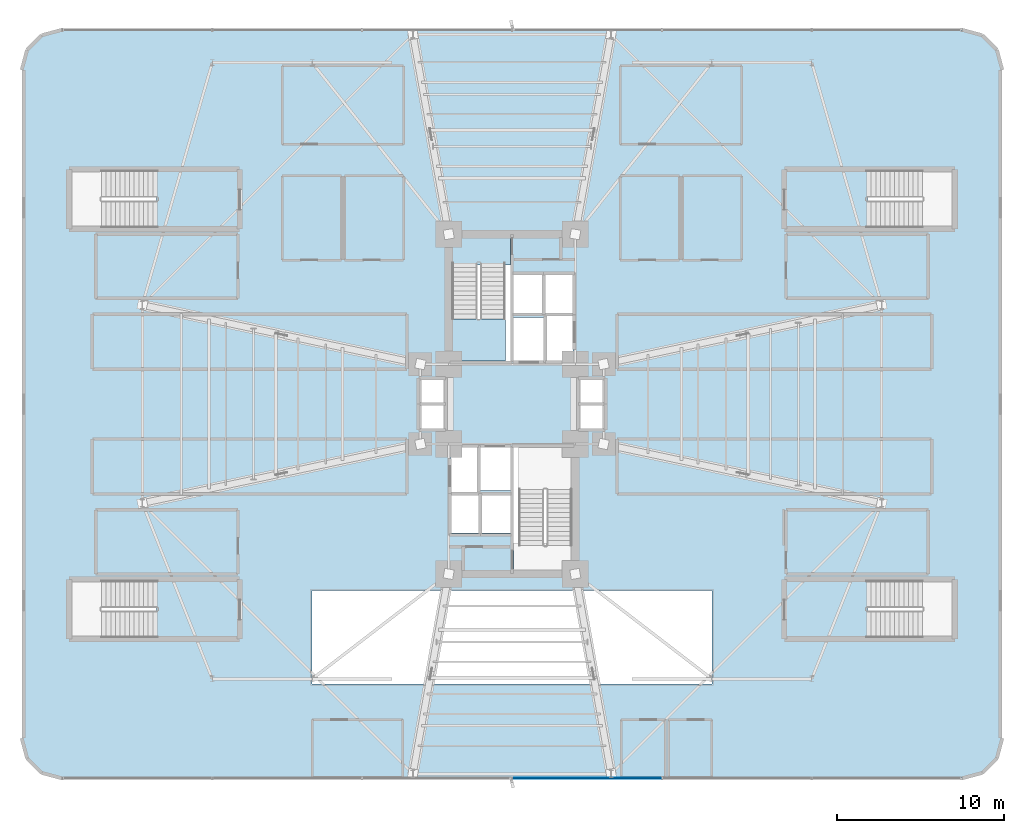
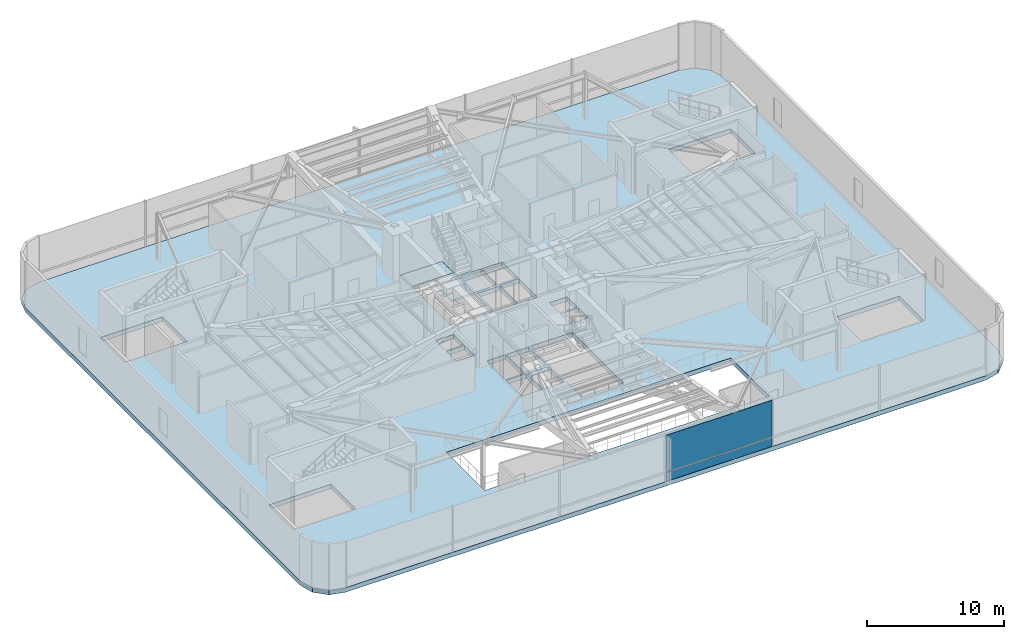
# One storey, part 19 of 32: 3 slabs, 2 plates, 2 elements without a shape of their own.
"""IFC4 building model written with IfcOpenShell, lengths in metres."""

from ifc_helpers import new_model, si_unit, direction, frame, origin, origin_2d, place, context, subcontext, project, spatial, polyline, rectangle, outline, extrude, source, transform, mapped, material, layer, layer_set, type_object, element, aggregate, save


model = new_model("IFC4")

# Units and contexts
model_context = context("Model", 3, precision=1e-05, world=origin(), true_north=direction((0.0, 1.0)))
body_context = subcontext(model_context, "Body", "Model", "MODEL_VIEW")
ifc_project = project(units=[si_unit("LENGTHUNIT", "METRE"), si_unit("AREAUNIT", "SQUARE_METRE"), si_unit("VOLUMEUNIT", "CUBIC_METRE"), si_unit("PLANEANGLEUNIT", "RADIAN"), si_unit("MASSUNIT", "GRAM", prefix="KILO")], contexts=[model_context])

# Site, building, storey
site_placement = place(None, origin())
site = spatial("IfcSite", under=ifc_project, at=site_placement, CompositionType="ELEMENT")
building_placement = place(site_placement, origin())
building = spatial("IfcBuilding", under=site, at=building_placement, Name="Sahyath Konkavel Grand Hotel", CompositionType="ELEMENT")
storey_placement = place(building_placement, frame((0.0, 0.0, 14.10009765625)))
storey = spatial("IfcBuildingStorey", under=building, at=storey_placement, Name="L03", CompositionType="ELEMENT", Elevation=14.10009765625)

# Slab
ifc_material_1 = material(Name="Concrete C50/60", Category="concrete")
ifc_layer_1 = layer(ifc_material_1, 0.39990234375)
ifc_layer_set_1 = layer_set([ifc_layer_1], Name="Concrete C50/60")
slab_type_1 = type_object("IfcSlabType", Name="SLB-400", PredefinedType="FLOOR", material=ifc_layer_set_1)
slab_1_placement = place(storey_placement, frame((0.0, 0.0, -0.400146484375)))
element("IfcSlab", 1, at=slab_1_placement, inside=storey, type_object=slab_type_1, Name="L03 Structural Floor Slab", PredefinedType="FLOOR", context=body_context, shape_type="SweptSolid", body=[
    extrude(outline(polyline([(27.035888671875, -22.465087890625), (28.236083984375, -22.1435546875), (29.114501953125, -21.264892578125), (29.43603515625, -20.06494140625), (29.43603515625, 20.06494140625), (29.114501953125, 21.264892578125), (28.236083984375, 22.1435546875), (27.035888671875, 22.465087890625), (-27.035888671875, 22.465087890625), (-28.236083984375, 22.1435546875), (-29.114501953125, 21.264892578125), (-29.43603515625, 20.06494140625), (-29.43603515625, -20.06494140625), (-29.114501953125, -21.264892578125), (-28.236083984375, -22.1435546875), (-27.035888671875, -22.465087890625), (27.035888671875, -22.465087890625)]), holes=[polyline([(-3.6201171875, 2.580078125), (-0.10009765625, 2.580078125), (-0.10009765625, 10.02001953125), (-3.6201171875, 10.02001953125), (-3.6201171875, 2.580078125)]), polyline([(0.10009765625, -10.02001953125), (3.6201171875, -10.02001953125), (3.6201171875, -2.580078125), (0.10009765625, -2.580078125), (0.10009765625, -10.02001953125)]), polyline([(-26.60009765625, 10.52001953125), (-21.35009765625, 10.52001953125), (-21.35009765625, 14.10009765625), (-26.60009765625, 14.10009765625), (-26.60009765625, 10.52001953125)]), polyline([(21.35009765625, 10.52001953125), (26.60009765625, 10.52001953125), (26.60009765625, 14.10009765625), (21.35009765625, 14.10009765625), (21.35009765625, 10.52001953125)]), polyline([(-26.60009765625, -14.10009765625), (-21.35009765625, -14.10009765625), (-21.35009765625, -10.52001953125), (-26.60009765625, -10.52001953125), (-26.60009765625, -14.10009765625)]), polyline([(21.35009765625, -14.10009765625), (26.60009765625, -14.10009765625), (26.60009765625, -10.52001953125), (21.35009765625, -10.52001953125), (21.35009765625, -14.10009765625)]), polyline([(-12.0, -16.800048828125), (12.0, -16.800048828125), (12.0, -11.199951171875), (-12.0, -11.199951171875), (-12.0, -16.800048828125)]), polyline([(0.10009765625, 2.60009765625), (1.949951171875, 2.60009765625), (1.949951171875, 5.199951171875), (0.10009765625, 5.199951171875), (0.10009765625, 2.60009765625)]), polyline([(-1.949951171875, -5.199951171875), (-0.10009765625, -5.199951171875), (-0.10009765625, -2.60009765625), (-1.949951171875, -2.60009765625), (-1.949951171875, -5.199951171875)]), polyline([(2.050048828125, 2.60009765625), (3.64990234375, 2.60009765625), (3.64990234375, 5.300048828125), (2.050048828125, 5.300048828125), (2.050048828125, 2.60009765625)]), polyline([(-3.64990234375, -5.300048828125), (-2.050048828125, -5.300048828125), (-2.050048828125, -2.60009765625), (-3.64990234375, -2.60009765625), (-3.64990234375, -5.300048828125)]), polyline([(0.10009765625, 5.449951171875), (1.85009765625, 5.449951171875), (1.85009765625, 7.75), (0.10009765625, 7.75), (0.10009765625, 5.449951171875)]), polyline([(1.949951171875, 5.449951171875), (3.64990234375, 5.449951171875), (3.64990234375, 7.75), (1.949951171875, 7.75), (1.949951171875, 5.449951171875)]), polyline([(-3.64990234375, -7.75), (-1.949951171875, -7.75), (-1.949951171875, -5.449951171875), (-3.64990234375, -5.449951171875), (-3.64990234375, -7.75)]), polyline([(-1.85009765625, -7.75), (-0.10009765625, -7.75), (-0.10009765625, -5.449951171875), (-1.85009765625, -5.449951171875), (-1.85009765625, -7.75)]), polyline([(4.050048828125, 0.080078125), (5.550048828125, 0.080078125), (5.550048828125, 1.5400390625), (4.050048828125, 1.5400390625), (4.050048828125, 0.080078125)]), polyline([(4.050048828125, -1.5400390625), (5.550048828125, -1.5400390625), (5.550048828125, -0.080078125), (4.050048828125, -0.080078125), (4.050048828125, -1.5400390625)]), polyline([(-5.550048828125, 0.080078125), (-4.050048828125, 0.080078125), (-4.050048828125, 1.5400390625), (-5.550048828125, 1.5400390625), (-5.550048828125, 0.080078125)]), polyline([(-5.550048828125, -1.5400390625), (-4.050048828125, -1.5400390625), (-4.050048828125, -0.080078125), (-5.550048828125, -0.080078125), (-5.550048828125, -1.5400390625)])]), origin(), (0.0, 0.0, 1.0), 0.400146484375),
])

# Stair, slab
ifc_material_2 = material(Name="Concrete C40/50", Category="concrete")
stair_type = type_object("IfcStairType", Name="STR-ST16-450", PredefinedType="HALF_TURN_STAIR", material=ifc_material_2)
stair_placement = place(storey_placement, origin())
stair = element("IfcStair", 2, at=stair_placement, inside=storey, type_object=stair_type, Name="L03 North Core Smokeproof Exit Stair ST-1", PredefinedType="HALF_TURN_STAIR")
ifc_layer_2 = layer(ifc_material_2, 0.199951171875)
ifc_layer_set_2 = layer_set([ifc_layer_2], Name="Concrete C40/50")
slab_type_2 = type_object("IfcSlabType", Name="SLB-STAIR-LND", PredefinedType="LANDING", material=ifc_layer_set_2)
slab_2_placement = place(storey_placement, frame((0.0, 0.0, 2.0498046875)))
slab_2 = element("IfcSlab", 3, at=slab_2_placement, type_object=slab_type_2, Name="ST-1 landing 1", PredefinedType="LANDING", context=body_context, shape_type="SweptSolid", body=[
    extrude(outline(polyline([(-3.60009765625, 5.1201171875), (-3.60009765625, 2.60009765625), (-0.39990234375, 2.60009765625), (-0.39990234375, 5.1201171875), (-3.60009765625, 5.1201171875)])), origin(), (0.0, 0.0, 1.0), 0.2001953125),
])
aggregate(stair, [slab_2])

# Slab
slab_3_placement = place(storey_placement, frame((0.0, 0.0, -0.2001953125)))
element("IfcSlab", 4, at=slab_3_placement, inside=storey, type_object=slab_type_2, Name="L03 Stair ST-1 Floor Landing Slab", PredefinedType="LANDING", context=body_context, shape_type="SweptSolid", body=[
    extrude(outline(polyline([(-3.6201171875, 8.35009765625), (-0.10009765625, 8.35009765625), (-0.10009765625, 10.02001953125), (-3.6201171875, 10.02001953125), (-3.6201171875, 8.35009765625)])), origin(), (0.0, 0.0, 1.0), 0.2001953125),
])

# Curtain wall, plates
ifc_material_3 = material(Name="Anodised Bronze Aluminium & Low-E Glazing", Category="aluminium")
curtain_wall_type = type_object("IfcCurtainWallType", Name="CW-PODIUM", PredefinedType="NOTDEFINED", material=ifc_material_3)
curtain_wall_placement = place(storey_placement, origin())
curtain_wall = element("IfcCurtainWall", 5, at=curtain_wall_placement, inside=storey, type_object=curtain_wall_type, Name="L03 Unitised Curtain Wall S", PredefinedType="NOTDEFINED")
ifc_material_4 = material(Name="Warm Buff Sandstone Cladding", Category="masonry")
ifc_layer_3 = layer(ifc_material_4, 0.074951171875)
ifc_layer_set_3 = layer_set([ifc_layer_3], Name="Warm Buff Sandstone Cladding")
plate_type_1 = type_object("IfcPlateType", Name="PNL-SPANDREL-STONE", PredefinedType="SHEET", material=ifc_layer_set_3)
shared_shape_1 = source(origin(), body_context, "Body", "SweptSolid", [
    extrude(rectangle(XDim=8.918701171875, YDim=0.074951171875, at=origin_2d()), origin(), (0.0, 0.0, 1.0), 0.77001953125),
])
plate_1_placement = place(storey_placement, frame((4.499267578125, -22.465087890625, 0.039794921875), z_axis=(0.0, 0.0, 1.0), x_axis=(1.0, 0.0, 0.0)))
plate_1 = element("IfcPlate", 6, at=plate_1_placement, type_object=plate_type_1, Name="L03 Sandstone Relief Spandrel Panel S-3", PredefinedType="SHEET", context=body_context, shape_type="MappedRepresentation", body=[
    mapped(shared_shape_1, transform((0.0, 0.0, 0.0), scale=1.0)),
])
ifc_material_5 = material(Name="Low-E Solar Control Double Glazing", Category="glass")
ifc_layer_4 = layer(ifc_material_5, 0.035888671875)
ifc_layer_set_4 = layer_set([ifc_layer_4], Name="Low-E Solar Control Double Glazing")
plate_type_2 = type_object("IfcPlateType", Name="PNL-VISION-LOWE", PredefinedType="CURTAIN_PANEL", material=ifc_layer_set_4)
shared_shape_2 = source(origin(), body_context, "Body", "SweptSolid", [
    extrude(rectangle(XDim=8.918701171875, YDim=0.035888671875, at=origin_2d()), origin(), (0.0, 0.0, 1.0), 3.25),
])
plate_2_placement = place(storey_placement, frame((4.499267578125, -22.465087890625, 0.889892578125), z_axis=(0.0, 0.0, 1.0), x_axis=(1.0, 0.0, 0.0)))
plate_2 = element("IfcPlate", 7, at=plate_2_placement, type_object=plate_type_2, Name="L03 Low-E Vision Glazing Panel S-3", PredefinedType="CURTAIN_PANEL", context=body_context, shape_type="MappedRepresentation", body=[
    mapped(shared_shape_2, transform((0.0, 0.0, 0.0), scale=1.0)),
])
aggregate(curtain_wall, [plate_1, plate_2])

save(model, "model.ifc")
